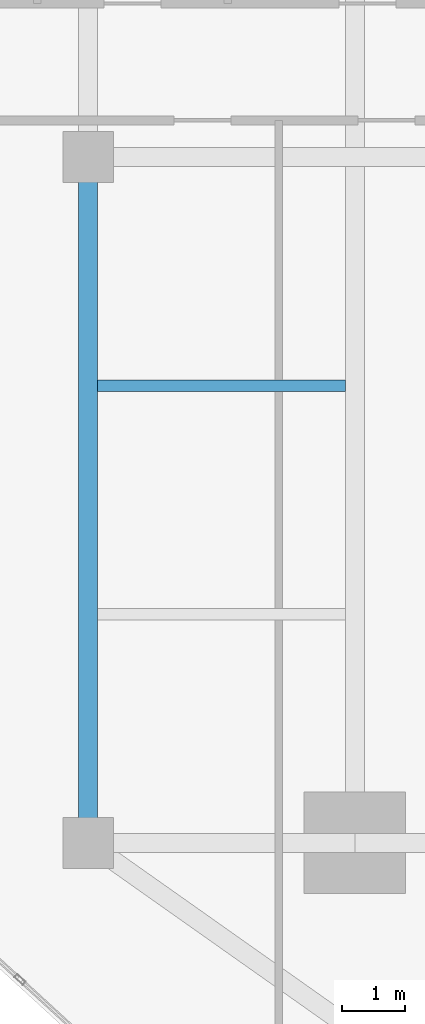
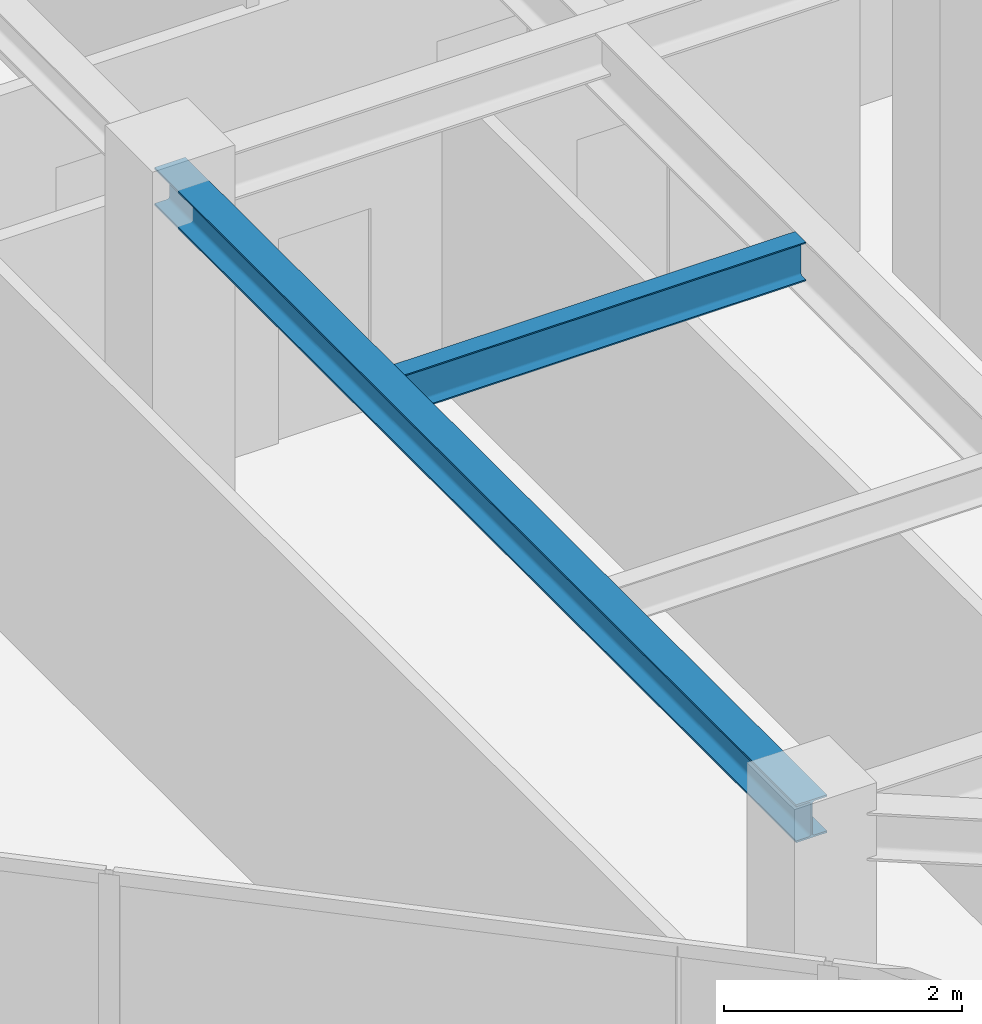
# One storey, part 7 of 26: 2 beams.
"""IFC4 building model written with IfcOpenShell, lengths in metres."""

from ifc_helpers import new_model, si_unit, direction, frame, origin, origin_2d, place, context, subcontext, project, spatial, i_section, extrude, source, transform, mapped, material, material_profile, profile_set, type_object, type_shapes, element, save


model = new_model("IFC4")

# Units and contexts
model_context = context("Model", 3, precision=1e-05, world=origin(), true_north=direction((0.0, 1.0)))
body_context = subcontext(model_context, "Body", "Model", "MODEL_VIEW")
ifc_project = project(units=[si_unit("LENGTHUNIT", "METRE"), si_unit("AREAUNIT", "SQUARE_METRE"), si_unit("VOLUMEUNIT", "CUBIC_METRE"), si_unit("PLANEANGLEUNIT", "RADIAN"), si_unit("MASSUNIT", "GRAM", prefix="KILO")], contexts=[model_context])

# Site, building, storey
site_placement = place(None, origin())
site = spatial("IfcSite", under=ifc_project, at=site_placement, CompositionType="ELEMENT")
building_placement = place(site_placement, origin())
building = spatial("IfcBuilding", under=site, at=building_placement, Name="Krantzveldt Concourse Tower", CompositionType="ELEMENT")
storey_placement = place(building_placement, frame((0.0, 0.0, 227.050048828125)))
storey = spatial("IfcBuildingStorey", under=building, at=storey_placement, Name="L55", CompositionType="ELEMENT", Elevation=227.050048828125)

# Beams
ifc_material = material(Name="Steel S355JR", Category="steel")
ifc_material_profile_1 = material_profile(ifc_material, i_section(OverallWidth=0.300048828125, OverallDepth=0.389892578125, WebThickness=0.010986328125, FlangeThickness=0.01904296875, FilletRadius=0.027099609375, at=origin_2d()), Name="Steel S355JR", Category="steel")
ifc_profile_set_1 = profile_set([ifc_material_profile_1], Name="Steel S355JR - HEA 400")
beam_type_1 = type_object("IfcBeamType", Name="BM-SP-HEA400", PredefinedType="SPANDREL", material=ifc_profile_set_1)
shared_shape_1 = source(origin(), body_context, "Body", "SweptSolid", [
    extrude(i_section(OverallWidth=0.300048828125, OverallDepth=0.389892578125, WebThickness=0.010986328125, FlangeThickness=0.01904296875, FilletRadius=0.027099609375, at=origin_2d()), origin(), (0.0, 0.0, 1.0), 10.800048828125),
])
type_shapes(beam_type_1, [shared_shape_1])
beam_1_placement = place(storey_placement, frame((21.0, 15.89990234375, 3.474853515625), z_axis=(0.0, 1.0, 0.0), x_axis=(-1.0, 0.0, 0.0)))
element("IfcBeam", 1, at=beam_1_placement, inside=storey, type_object=beam_type_1, Name="L55 Tower Girder SP-R01", PredefinedType="SPANDREL", context=body_context, shape_type="MappedRepresentation", body=[
    mapped(shared_shape_1, transform((0.0, 0.0, 0.0), x_axis=(1.0, 0.0, 0.0), y_axis=(0.0, 1.0, 0.0), z_axis=(0.0, 0.0, 1.0), scale=1.0)),
])
ifc_material_profile_2 = material_profile(ifc_material, i_section(OverallWidth=0.179931640625, OverallDepth=0.39990234375, WebThickness=0.008544921875, FlangeThickness=0.013427734375, FilletRadius=0.02099609375, at=origin_2d()), Name="Steel S355JR", Category="steel")
ifc_profile_set_2 = profile_set([ifc_material_profile_2], Name="Steel S355JR - IPE 400")
beam_type_2 = type_object("IfcBeamType", Name="BM-J-IPE400", PredefinedType="JOIST", material=ifc_profile_set_2)
shared_shape_2 = source(origin(), body_context, "Body", "SweptSolid", [
    extrude(i_section(OverallWidth=0.179931640625, OverallDepth=0.39990234375, WebThickness=0.008544921875, FlangeThickness=0.013427734375, FilletRadius=0.02099609375, at=origin_2d()), origin(), (0.0, 0.0, 1.0), 3.900146484375),
])
type_shapes(beam_type_2, [shared_shape_2])
beam_2_placement = place(storey_placement, frame((21.14990234375, 23.10009765625, 3.469970703125), z_axis=(1.0, 0.0, 0.0), x_axis=(0.0, 1.0, 0.0)))
element("IfcBeam", 2, at=beam_2_placement, inside=storey, type_object=beam_type_2, Name="L55 Secondary Floor Joist JW-2", PredefinedType="JOIST", context=body_context, shape_type="MappedRepresentation", body=[
    mapped(shared_shape_2, transform((0.0, 0.0, 0.0), x_axis=(1.0, 0.0, 0.0), y_axis=(0.0, 1.0, 0.0), z_axis=(0.0, 0.0, 1.0), scale=1.0)),
])

save(model, "model.ifc")
